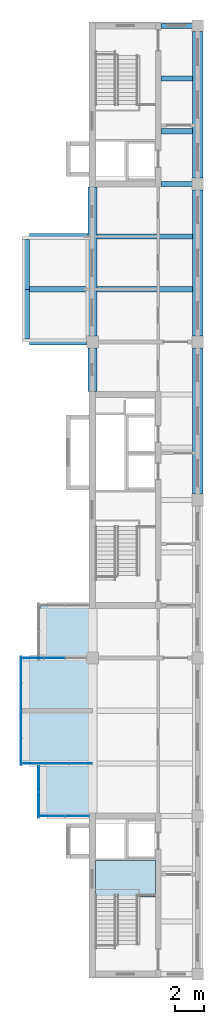
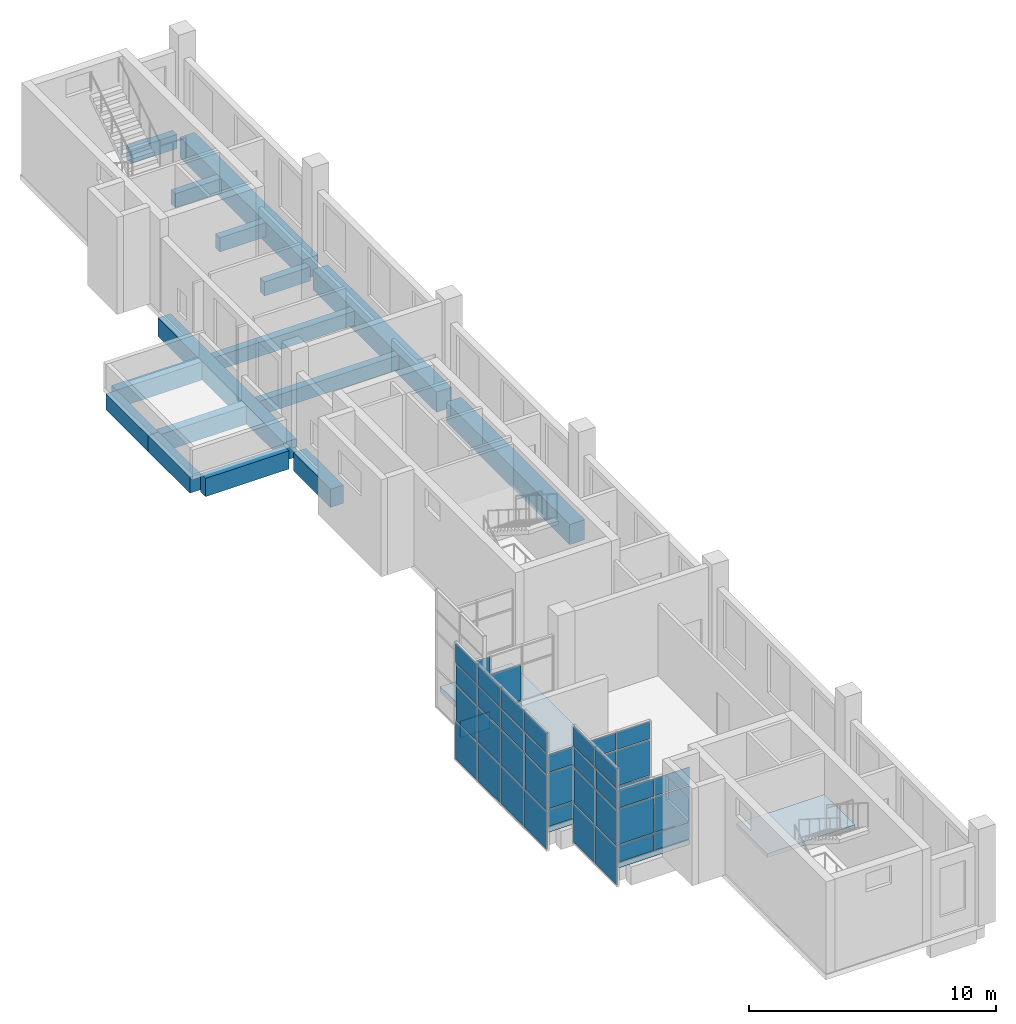
# One storey, part 4 of 9: 44 plates, 16 beams, 2 slabs, 6 elements without a shape of their own.
"""IFC4 building model written with IfcOpenShell, lengths in metres."""

import ifcopenshell
import ifcopenshell.guid

model = None  # the IFC model being written
_history = None  # IfcOwnerHistory: only IFC2X3 demands one
_inside = {}  # id of a spatial element -> (the spatial element, [elements in it])
_under = {}  # id of a project, library or spatial element -> (it, [spatial elements below it])
_declared = {}  # id of a project -> (the project, [libraries it declares])
_typed = {}  # id of a type object -> (the type object, [elements of that type])
_made_of = {}  # id of a material, layer set ... -> (it, [elements and type objects made of it])


def new_model(schema):
    """Start an empty IFC model of exactly this schema.

    Asked for "IFC4X3", IfcOpenShell would pick the latest addendum, in which some entities
    have other attributes; the version numbers below select the first issue.
    IFC2X3 requires an IfcOwnerHistory on every rooted entity: one is made here for all.
    """
    global model, _history
    if schema == "IFC4X3":
        model = ifcopenshell.file(schema_version=(4, 3, 0, 0))
    else:
        model = ifcopenshell.file(schema=schema)
    _inside.clear()
    _under.clear()
    _declared.clear()
    _typed.clear()
    _made_of.clear()
    _history = None
    if model.schema == "IFC2X3":
        org = make("IfcOrganization", Name="unknown")
        user = make(
            "IfcPersonAndOrganization",
            ThePerson=make("IfcPerson", FamilyName="unknown"),
            TheOrganization=org,
        )
        app = make(
            "IfcApplication",
            ApplicationDeveloper=org,
            Version="unknown",
            ApplicationFullName="unknown",
            ApplicationIdentifier="unknown",
        )
        _history = make(
            "IfcOwnerHistory",
            OwningUser=user,
            OwningApplication=app,
            ChangeAction="ADDED",
            CreationDate=0,
        )
    return model


def make(cls, **values):
    """One entity of the class cls with the attributes given. An attribute that is None is left unset."""
    return model.create_entity(
        cls, **{name: value for name, value in values.items() if value is not None}
    )


def rooted(cls, **values):
    """An entity with a GlobalId (a new one), such as an element, a storey or a relation."""
    return make(cls, GlobalId=ifcopenshell.guid.new(), OwnerHistory=_history, **values)


def si_unit(unit_type, name, prefix=None):
    """IfcSIUnit, for example si_unit("LENGTHUNIT", "METRE", prefix="MILLI")."""
    return make("IfcSIUnit", UnitType=unit_type, Prefix=prefix, Name=name)


def assignment(units):
    """IfcUnitAssignment: the units of a project."""
    return None if units is None else make("IfcUnitAssignment", Units=units)


def point(xyz):
    """IfcCartesianPoint."""
    return None if xyz is None else make("IfcCartesianPoint", Coordinates=xyz)


def direction(xyz):
    """IfcDirection."""
    return None if xyz is None else make("IfcDirection", DirectionRatios=xyz)


def frame(location, z_axis=None, x_axis=None):
    """IfcAxis2Placement3D, a coordinate frame: its origin and axes. An axis left out is left unset."""
    return make(
        "IfcAxis2Placement3D",
        Location=point(location),
        Axis=direction(z_axis),
        RefDirection=direction(x_axis),
    )


def frame_2d(location, x_axis=None):
    """IfcAxis2Placement2D, a coordinate frame in the plane: its origin and x axis."""
    return make(
        "IfcAxis2Placement2D", Location=point(location), RefDirection=direction(x_axis)
    )


def origin():
    """The frame at (0, 0, 0) with its axes left unset."""
    return frame((0.0, 0.0, 0.0))


def origin_2d():
    """The frame at (0, 0) in the plane with its x axis left unset."""
    return frame_2d((0.0, 0.0))


def place(relative_to, where):
    """IfcLocalPlacement: puts the frame where relative to a parent placement (None: the world)."""
    return make(
        "IfcLocalPlacement", PlacementRelTo=relative_to, RelativePlacement=where
    )


def context(
    kind, dimensions, precision=None, world=None, true_north=None, identifier=None
):
    """IfcGeometricRepresentationContext, for example the 3D "Model" context."""
    return make(
        "IfcGeometricRepresentationContext",
        ContextIdentifier=identifier,
        ContextType=kind,
        CoordinateSpaceDimension=dimensions,
        Precision=precision,
        WorldCoordinateSystem=world,
        TrueNorth=true_north,
    )


def subcontext(parent, identifier, kind, view, scale=None):
    """IfcGeometricRepresentationSubContext, for example "Body" below "Model"."""
    return make(
        "IfcGeometricRepresentationSubContext",
        ContextIdentifier=identifier,
        ContextType=kind,
        ParentContext=parent,
        TargetScale=scale,
        TargetView=view,
    )


def project(units=None, contexts=None):
    """IfcProject with its units and contexts."""
    return rooted(
        "IfcProject",
        Name="project",
        RepresentationContexts=contexts,
        UnitsInContext=assignment(units),
    )


def spatial(cls, under=None, at=None, **own):
    """A site, building, storey or space (cls), placed at a placement, below another one or the project."""
    s = rooted(cls, ObjectPlacement=at, **own)
    if under is not None:
        _under.setdefault(under.id(), (under, []))[1].append(s)
    return s


def polyline(points):
    """IfcPolyline through the points."""
    return make("IfcPolyline", Points=[point(p) for p in points])


def profile(cls, at=None, kind="AREA", **sizes):
    """A parametric profile (cls). Its sizes go by their IFC names, for example OverallWidth=200.0."""
    return make(cls, ProfileType=kind, Position=at, **sizes)


def rectangle(**sizes):
    """IfcRectangleProfileDef."""
    return profile("IfcRectangleProfileDef", **sizes)


def outline(outer, holes=None, kind="AREA"):
    """IfcArbitraryClosedProfileDef: a profile drawn as a closed curve; with holes, ...WithVoids."""
    if holes is None:
        return make("IfcArbitraryClosedProfileDef", ProfileType=kind, OuterCurve=outer)
    return make(
        "IfcArbitraryProfileDefWithVoids",
        ProfileType=kind,
        OuterCurve=outer,
        InnerCurves=holes,
    )


def extrude(swept, where, along, depth):
    """IfcExtrudedAreaSolid: the profile swept, set in the frame where, extruded along a direction by depth."""
    return make(
        "IfcExtrudedAreaSolid",
        SweptArea=swept,
        Position=where,
        ExtrudedDirection=direction(along),
        Depth=depth,
    )


def shape(context_of_items, identifier, shape_type, items):
    """IfcShapeRepresentation: the items that make up one representation, for example the "Body"."""
    return make(
        "IfcShapeRepresentation",
        ContextOfItems=context_of_items,
        RepresentationIdentifier=identifier,
        RepresentationType=shape_type,
        Items=items,
    )


def material(Name=None, Category=None):
    """IfcMaterial."""
    return make("IfcMaterial", Name=Name, Category=Category)


def layer(
    of_material, thickness, ventilated=None, Name=None, Category=None, Priority=None
):
    """IfcMaterialLayer: one layer of a wall or slab, of a material (None: an air gap)."""
    return make(
        "IfcMaterialLayer",
        Material=of_material,
        LayerThickness=thickness,
        IsVentilated=ventilated,
        Name=Name,
        Category=Category,
        Priority=Priority,
    )


def layer_set(layers, Name=None):
    """IfcMaterialLayerSet."""
    return make("IfcMaterialLayerSet", MaterialLayers=layers, LayerSetName=Name)


def material_profile(
    of_material, cross_section, Name=None, Category=None, Priority=None
):
    """IfcMaterialProfile: a cross section and its material."""
    return make(
        "IfcMaterialProfile",
        Name=Name,
        Material=of_material,
        Profile=cross_section,
        Priority=Priority,
        Category=Category,
    )


def profile_set(profiles, Name=None, composite=None):
    """IfcMaterialProfileSet."""
    return make(
        "IfcMaterialProfileSet",
        Name=Name,
        MaterialProfiles=profiles,
        CompositeProfile=composite,
    )


def made_of(thing, what):
    """Note that an element or type object is made of a material, layer set ...; save() writes the relation."""
    if what is not None:
        _made_of.setdefault(what.id(), (what, []))[1].append(thing)
    return thing


def type_object(cls, material=None, **own):
    """A type object (cls), such as IfcWallType, which elements share."""
    return made_of(rooted(cls, **own), material)


def element(
    cls,
    number,
    at=None,
    inside=None,
    cuts=None,
    type_object=None,
    material=None,
    context=None,
    identifier="Body",
    shape_type=None,
    held_by="IfcProductDefinitionShape",
    body=None,
    shapes=None,
    **own,
):
    """One element of the class cls, such as IfcWall. Its Tag is "e" and its number.

    at: its placement. inside: the storey or other place that contains it. cuts: it is an
    opening in that element (IfcRelVoidsElement). A single representation is given by context,
    identifier, shape_type and body (its items); several are given by shapes. held_by: the class
    of the entity that holds the representations. save() writes the other relations.
    """
    e = rooted(cls, Tag="e%d" % number, ObjectPlacement=at, **own)
    if body is not None:
        shapes = [shape(context, identifier, shape_type, body)]
    if shapes is not None:
        e.Representation = make(held_by, Representations=shapes)
    if inside is not None:
        _inside.setdefault(inside.id(), (inside, []))[1].append(e)
    if cuts is not None:
        rooted(
            "IfcRelVoidsElement", RelatingBuildingElement=cuts, RelatedOpeningElement=e
        )
    if type_object is not None:
        _typed.setdefault(type_object.id(), (type_object, []))[1].append(e)
    return made_of(e, material)


def aggregate(whole, parts):
    """IfcRelAggregates: a whole, such as a stair, and the parts it consists of."""
    return rooted("IfcRelAggregates", RelatingObject=whole, RelatedObjects=parts)


def save(model, path):
    """Write the relations noted so far, then the file.

    IfcRelAggregates (storeys below a building ...), IfcRelContainedInSpatialStructure (elements
    in a storey), IfcRelDefinesByType, IfcRelAssociatesMaterial and IfcRelDeclares: one each for
    every whole, place, type object, material and project.
    """
    for whole, parts in _under.values():
        aggregate(whole, parts)
    for where, things in _inside.values():
        rooted(
            "IfcRelContainedInSpatialStructure",
            RelatedElements=things,
            RelatingStructure=where,
        )
    for kind, things in _typed.values():
        rooted("IfcRelDefinesByType", RelatedObjects=things, RelatingType=kind)
    for what, things in _made_of.values():
        rooted("IfcRelAssociatesMaterial", RelatedObjects=things, RelatingMaterial=what)
    for by, libraries in _declared.values():
        rooted("IfcRelDeclares", RelatingContext=by, RelatedDefinitions=libraries)
    model.write(path)


model = new_model("IFC4")

# Units and contexts
model_context = context("Model", 3, precision=1e-05, world=origin(), true_north=direction((0.0, 1.0)))
body_context = subcontext(model_context, "Body", "Model", "MODEL_VIEW")
ifc_project = project(units=[si_unit("LENGTHUNIT", "METRE"), si_unit("AREAUNIT", "SQUARE_METRE"), si_unit("VOLUMEUNIT", "CUBIC_METRE"), si_unit("PLANEANGLEUNIT", "RADIAN"), si_unit("MASSUNIT", "GRAM", prefix="KILO")], contexts=[model_context])

# Site, building, storey
site_placement = place(None, origin())
site = spatial("IfcSite", under=ifc_project, at=site_placement, CompositionType="ELEMENT")
building_placement = place(site_placement, origin())
building = spatial("IfcBuilding", under=site, at=building_placement, Name="Basin Gate Institute", CompositionType="ELEMENT")
storey_placement = place(building_placement, frame((0.0, 0.0, 70.199951171875)))
storey = spatial("IfcBuildingStorey", under=building, at=storey_placement, Name="L14", CompositionType="ELEMENT", Elevation=70.199951171875)

# Beams
ifc_material_1 = material(Name="Concrete 40 MPa", Category="concrete")
ifc_material_profile_1 = material_profile(ifc_material_1, rectangle(XDim=0.35009765625, YDim=0.699951171875, at=origin_2d()), Name="Beam B1 350 x 700")
ifc_profile_set_1 = profile_set([ifc_material_profile_1], Name="Concrete 40 MPa")
beam_type_1 = type_object("IfcBeamType", Name="Beam B1 R60", PredefinedType="BEAM", material=ifc_profile_set_1)
for number, where, z_axis, x_axis, name in (
    (1, (61.5, 81.89990234375, -0.599853515625), (1.0, 0.0, 0.0), (0.0, 1.0, 0.0), "BEAM/L14/W/OUT/14"),
    (2, (61.5, 85.5, -0.599853515625), (1.0, 0.0, 0.0), (0.0, 1.0, 0.0), "BEAM/L14/W/OUT/15"),
):
    element("IfcBeam", number, at=place(storey_placement, frame(where, z_axis=z_axis, x_axis=x_axis)), inside=storey, type_object=beam_type_1, material=ifc_profile_set_1, Name=name, PredefinedType="BEAM", context=body_context, shape_type="SweptSolid", body=[
        extrude(rectangle(XDim=0.35009765625, YDim=0.699951171875, at=origin_2d()), origin(), (0.0, 0.0, 1.0), 6.550048828125),
    ])
for number, where, z_axis, x_axis, name in (
    (3, (65.89990234375, 89.10009765625, -0.599853515625), (1.0, 0.0, 0.0), (0.0, 1.0, 0.0), "BEAM/L14/W/CORR/16"),
    (4, (65.89990234375, 92.699951171875, -0.599853515625), (1.0, 0.0, 0.0), (0.0, 1.0, 0.0), "BEAM/L14/W/CORR/17"),
    (5, (65.89990234375, 96.300048828125, -0.599853515625), (1.0, 0.0, 0.0), (0.0, 1.0, 0.0), "BEAM/L14/W/CORR/18"),
    (6, (65.89990234375, 99.89990234375, -0.599853515625), (1.0, 0.0, 0.0), (0.0, 1.0, 0.0), "BEAM/L14/W/CORR/19"),
):
    element("IfcBeam", number, at=place(storey_placement, frame(where, z_axis=z_axis, x_axis=x_axis)), inside=storey, type_object=beam_type_1, material=ifc_profile_set_1, Name=name, PredefinedType="BEAM", context=body_context, shape_type="SweptSolid", body=[
        extrude(rectangle(XDim=0.35009765625, YDim=0.699951171875, at=origin_2d()), origin(), (0.0, 0.0, 1.0), 2.150146484375),
    ])
ifc_material_2 = material(Name="Concrete 50 MPa", Category="concrete")
ifc_material_profile_2 = material_profile(ifc_material_2, rectangle(XDim=0.39990234375, YDim=0.89990234375, at=origin_2d()), Name="Cantilever beam B3 400 x 900")
ifc_profile_set_2 = profile_set([ifc_material_profile_2], Name="Concrete 50 MPa")
beam_type_2 = type_object("IfcBeamType", Name="Cantilever beam B3 R60", PredefinedType="BEAM", material=ifc_profile_set_2)
beam_1_placement = place(storey_placement, frame((56.89990234375, 78.300048828125, -0.699951171875), z_axis=(1.0, 0.0, 0.0), x_axis=(0.0, 1.0, 0.0)))
element("IfcBeam", 7, at=beam_1_placement, inside=storey, type_object=beam_type_2, material=ifc_profile_set_2, Name="BEAM/L14/W/CANT/13", PredefinedType="BEAM", context=body_context, shape_type="SweptSolid", body=[
    extrude(rectangle(XDim=0.39990234375, YDim=0.89990234375, at=origin_2d()), origin(), (0.0, 0.0, 1.0), 3.900146484375),
])
for number, where, z_axis, x_axis, name in (
    (8, (56.89990234375, 81.89990234375, -0.699951171875), (1.0, 0.0, 0.0), (0.0, 1.0, 0.0), "BEAM/L14/W/CANT/14"),
    (9, (56.89990234375, 85.5, -0.699951171875), (1.0, 0.0, 0.0), (0.0, 1.0, 0.0), "BEAM/L14/W/CANT/15"),
):
    element("IfcBeam", number, at=place(storey_placement, frame(where, z_axis=z_axis, x_axis=x_axis)), inside=storey, type_object=beam_type_2, material=ifc_profile_set_2, Name=name, PredefinedType="BEAM", context=body_context, shape_type="SweptSolid", body=[
        extrude(rectangle(XDim=0.39990234375, YDim=0.89990234375, at=origin_2d()), origin(), (0.0, 0.0, 1.0), 4.0),
    ])
ifc_material_3 = material(Name="Concrete 50 MPa", Category="concrete")
ifc_material_profile_3 = material_profile(ifc_material_3, rectangle(XDim=0.60009765625, YDim=0.89990234375, at=origin_2d()), Name="Edge beam EB1 600 x 900")
ifc_profile_set_3 = profile_set([ifc_material_profile_3], Name="Concrete 50 MPa")
beam_type_3 = type_object("IfcBeamType", Name="Edge beam EB1 R60", PredefinedType="SPANDREL", material=ifc_profile_set_3)
beam_2_placement = place(storey_placement, frame((61.199951171875, 78.699951171875, -0.699951171875), z_axis=(0.0, 1.0, 0.0), x_axis=(-1.0, 0.0, 0.0)))
element("IfcBeam", 10, at=beam_2_placement, inside=storey, type_object=beam_type_3, material=ifc_profile_set_3, Name="BEAM/L14/W/EDGE/4", PredefinedType="SPANDREL", context=body_context, shape_type="SweptSolid", body=[
    extrude(rectangle(XDim=0.60009765625, YDim=0.89990234375, at=origin_2d()), origin(), (0.0, 0.0, 1.0), 10.199951171875),
])
ifc_material_4 = material(Name="Concrete 50 MPa", Category="concrete")
ifc_material_profile_4 = material_profile(ifc_material_4, rectangle(XDim=0.60009765625, YDim=0.89990234375, at=origin_2d()), Name="Edge return beam EB3 600 x 900")
ifc_profile_set_4 = profile_set([ifc_material_profile_4], Name="Concrete 50 MPa")
beam_type_4 = type_object("IfcBeamType", Name="Edge return beam EB3 R60", PredefinedType="SPANDREL", material=ifc_profile_set_4)
beam_3_placement = place(storey_placement, frame((61.199951171875, 74.89990234375, -0.699951171875), z_axis=(0.0, 1.0, 0.0), x_axis=(-1.0, 0.0, 0.0)))
element("IfcBeam", 11, at=beam_3_placement, inside=storey, type_object=beam_type_4, material=ifc_profile_set_4, Name="BEAM/L14/W/EDGE/3", PredefinedType="SPANDREL", context=body_context, shape_type="SweptSolid", body=[
    extrude(rectangle(XDim=0.60009765625, YDim=0.89990234375, at=origin_2d()), origin(), (0.0, 0.0, 1.0), 3.0),
])
ifc_material_5 = material(Name="Concrete 50 MPa", Category="concrete")
ifc_material_profile_5 = material_profile(ifc_material_5, rectangle(XDim=0.699951171875, YDim=1.0, at=origin_2d()), Name="Girder G1 700 x 1000")
ifc_profile_set_5 = profile_set([ifc_material_profile_5], Name="Concrete 50 MPa")
beam_type_5 = type_object("IfcBeamType", Name="Girder G1 R60", PredefinedType="BEAM", material=ifc_profile_set_5)
for number, where, z_axis, x_axis, name in (
    (12, (68.39990234375, 67.89990234375, -0.75), (0.0, 1.0, 0.0), (-1.0, 0.0, 0.0), "GIR/L14/W5/4"),
    (13, (68.39990234375, 78.699951171875, -0.75), (0.0, 1.0, 0.0), (-1.0, 0.0, 0.0), "GIR/L14/W5/5"),
    (14, (68.39990234375, 89.5, -0.75), (0.0, 1.0, 0.0), (-1.0, 0.0, 0.0), "GIR/L14/W5/6"),
):
    element("IfcBeam", number, at=place(storey_placement, frame(where, z_axis=z_axis, x_axis=x_axis)), inside=storey, type_object=beam_type_5, material=ifc_profile_set_5, Name=name, PredefinedType="BEAM", context=body_context, shape_type="SweptSolid", body=[
        extrude(rectangle(XDim=0.699951171875, YDim=1.0, at=origin_2d()), origin(), (0.0, 0.0, 1.0), 10.0),
    ])
ifc_material_6 = material(Name="Concrete 50 MPa", Category="concrete")
ifc_material_profile_6 = material_profile(ifc_material_6, rectangle(XDim=0.5, YDim=0.800048828125, at=origin_2d()), Name="Tip beam TB1 500 x 800")
ifc_profile_set_6 = profile_set([ifc_material_profile_6], Name="Concrete 50 MPa")
beam_type_6 = type_object("IfcBeamType", Name="Tip beam TB1 R60", PredefinedType="SPANDREL", material=ifc_profile_set_6)
beam_4_placement = place(storey_placement, frame((56.64990234375, 78.5, -0.64990234375), z_axis=(0.0, 1.0, 0.0), x_axis=(-1.0, 0.0, 0.0)))
element("IfcBeam", 15, at=beam_4_placement, inside=storey, type_object=beam_type_6, material=ifc_profile_set_6, Name="BEAM/L14/W/TIP/6", PredefinedType="SPANDREL", context=body_context, shape_type="SweptSolid", body=[
    extrude(rectangle(XDim=0.5, YDim=0.800048828125, at=origin_2d()), origin(), (0.0, 0.0, 1.0), 3.39990234375),
])
beam_5_placement = place(storey_placement, frame((56.64990234375, 81.89990234375, -0.64990234375), z_axis=(0.0, 1.0, 0.0), x_axis=(-1.0, 0.0, 0.0)))
element("IfcBeam", 16, at=beam_5_placement, inside=storey, type_object=beam_type_6, material=ifc_profile_set_6, Name="BEAM/L14/W/TIP/7", PredefinedType="SPANDREL", context=body_context, shape_type="SweptSolid", body=[
    extrude(rectangle(XDim=0.5, YDim=0.800048828125, at=origin_2d()), origin(), (0.0, 0.0, 1.0), 3.400146484375),
])

# Slab
ifc_material_7 = material(Name="Concrete 40 MPa", Category="concrete")
ifc_layer_1 = layer(ifc_material_7, 0.25)
ifc_layer_set_1 = layer_set([ifc_layer_1], Name="Concrete 40 MPa")
slab_type_1 = type_object("IfcSlabType", Name="Slab SL4 R60", PredefinedType="FLOOR", material=ifc_layer_set_1)
slab_1_placement = place(storey_placement, frame((0.0, 0.0, -0.25)))
element("IfcSlab", 17, at=slab_1_placement, inside=storey, type_object=slab_type_1, material=ifc_layer_set_1, Name="SLAB/L14/WK11", PredefinedType="FLOOR", context=body_context, shape_type="SweptSolid", body=[
    extrude(outline(polyline([(57.60009765625, 45.89990234375), (57.60009765625, 49.5), (56.39990234375, 49.5), (56.39990234375, 56.699951171875), (57.60009765625, 56.699951171875), (57.60009765625, 60.300048828125), (60.949951171875, 60.300048828125), (60.949951171875, 45.89990234375), (57.60009765625, 45.89990234375)])), origin(), (0.0, 0.0, 1.0), 0.25),
])

# Curtain wall, plates
ifc_material_8 = material(Name="Aluminium-framed glazing", Category="aluminium")
ifc_layer_2 = layer(ifc_material_8, 0.14990234375)
ifc_layer_set_2 = layer_set([ifc_layer_2], Name="Capsule front curtain wall CW1")
curtain_wall_type = type_object("IfcCurtainWallType", Name="Capsule front curtain wall CW1", PredefinedType="NOTDEFINED", material=ifc_layer_set_2)
curtain_wall_1_placement = place(storey_placement, origin())
curtain_wall_1 = element("IfcCurtainWall", 18, at=curtain_wall_1_placement, inside=storey, type_object=curtain_wall_type, material=ifc_layer_set_2, Name="Capsule front curtain wall W wing capsule end L14 line 4", PredefinedType="NOTDEFINED")
ifc_material_9 = material(Name="Aluminium insulated spandrel panel", Category="aluminium")
ifc_layer_3 = layer(ifc_material_9, 0.050048828125)
ifc_layer_set_3 = layer_set([ifc_layer_3], Name="Spandrel panel PN2")
plate_type_1 = type_object("IfcPlateType", Name="Spandrel panel PN2", PredefinedType="CURTAIN_PANEL", material=ifc_layer_set_3)
plate_1_placement = place(storey_placement, frame((58.46240234375, 45.89990234375, 0.06005859375), z_axis=(0.0, 0.0, 1.0), x_axis=(1.0, 0.0, 0.0)))
plate_1 = element("IfcPlate", 19, at=plate_1_placement, type_object=plate_type_1, material=ifc_layer_set_3, Name="CW1 spandrel panel 1.1", PredefinedType="CURTAIN_PANEL", context=body_context, shape_type="SweptSolid", body=[
    extrude(rectangle(XDim=1.625, YDim=0.050048828125, at=origin_2d()), origin(), (0.0, 0.0, 1.0), 0.81005859375),
])
plate_2_placement = place(storey_placement, frame((60.137451171875, 45.89990234375, 0.06005859375), z_axis=(0.0, 0.0, 1.0), x_axis=(1.0, 0.0, 0.0)))
plate_2 = element("IfcPlate", 20, at=plate_2_placement, type_object=plate_type_1, material=ifc_layer_set_3, Name="CW1 spandrel panel 2.1", PredefinedType="CURTAIN_PANEL", context=body_context, shape_type="SweptSolid", body=[
    extrude(rectangle(XDim=1.625, YDim=0.050048828125, at=origin_2d()), origin(), (0.0, 0.0, 1.0), 0.81005859375),
])

curtain_wall_2_placement = place(storey_placement, origin())
curtain_wall_2 = element("IfcCurtainWall", 21, at=curtain_wall_2_placement, inside=storey, type_object=curtain_wall_type, material=ifc_layer_set_2, Name="Capsule front curtain wall W wing capsule end L14 line 5", PredefinedType="NOTDEFINED")
plate_3_placement = place(storey_placement, frame((57.21240234375, 49.5, 0.06005859375), z_axis=(0.0, 0.0, 1.0), x_axis=(1.0, 0.0, 0.0)))
plate_3 = element("IfcPlate", 22, at=plate_3_placement, type_object=plate_type_1, material=ifc_layer_set_3, Name="CW1 spandrel panel 1.1", PredefinedType="CURTAIN_PANEL", context=body_context, shape_type="SweptSolid", body=[
    extrude(rectangle(XDim=1.52490234375, YDim=0.050048828125, at=origin_2d()), origin(), (0.0, 0.0, 1.0), 0.81005859375),
])
plate_4_placement = place(storey_placement, frame((58.800048828125, 49.5, 0.06005859375), z_axis=(0.0, 0.0, 1.0), x_axis=(1.0, 0.0, 0.0)))
plate_4 = element("IfcPlate", 23, at=plate_4_placement, type_object=plate_type_1, material=ifc_layer_set_3, Name="CW1 spandrel panel 2.1", PredefinedType="CURTAIN_PANEL", context=body_context, shape_type="SweptSolid", body=[
    extrude(rectangle(XDim=1.550048828125, YDim=0.050048828125, at=origin_2d()), origin(), (0.0, 0.0, 1.0), 0.81005859375),
])
plate_5_placement = place(storey_placement, frame((60.387451171875, 49.5, 0.06005859375), z_axis=(0.0, 0.0, 1.0), x_axis=(1.0, 0.0, 0.0)))
plate_5 = element("IfcPlate", 24, at=plate_5_placement, type_object=plate_type_1, material=ifc_layer_set_3, Name="CW1 spandrel panel 3.1", PredefinedType="CURTAIN_PANEL", context=body_context, shape_type="SweptSolid", body=[
    extrude(rectangle(XDim=1.52490234375, YDim=0.050048828125, at=origin_2d()), origin(), (0.0, 0.0, 1.0), 0.81005859375),
])

curtain_wall_3_placement = place(storey_placement, origin())
curtain_wall_3 = element("IfcCurtainWall", 25, at=curtain_wall_3_placement, inside=storey, type_object=curtain_wall_type, material=ifc_layer_set_2, Name="Capsule front curtain wall W wing capsule end L14 line 7", PredefinedType="NOTDEFINED")
plate_6_placement = place(storey_placement, frame((57.145751953125, 56.699951171875, 0.06005859375), z_axis=(0.0, 0.0, 1.0), x_axis=(1.0, 0.0, 0.0)))
plate_6 = element("IfcPlate", 26, at=plate_6_placement, type_object=plate_type_1, material=ifc_layer_set_3, Name="CW1 spandrel panel 1.1", PredefinedType="CURTAIN_PANEL", context=body_context, shape_type="SweptSolid", body=[
    extrude(rectangle(XDim=1.3916015625, YDim=0.050048828125, at=origin_2d()), origin(), (0.0, 0.0, 1.0), 0.81005859375),
])
plate_7_placement = place(storey_placement, frame((58.60009765625, 56.699951171875, 0.06005859375), z_axis=(0.0, 0.0, 1.0), x_axis=(1.0, 0.0, 0.0)))
plate_7 = element("IfcPlate", 27, at=plate_7_placement, type_object=plate_type_1, material=ifc_layer_set_3, Name="CW1 spandrel panel 2.1", PredefinedType="CURTAIN_PANEL", context=body_context, shape_type="SweptSolid", body=[
    extrude(rectangle(XDim=1.416748046875, YDim=0.050048828125, at=origin_2d()), origin(), (0.0, 0.0, 1.0), 0.81005859375),
])

curtain_wall_4_placement = place(storey_placement, origin())
curtain_wall_4 = element("IfcCurtainWall", 28, at=curtain_wall_4_placement, inside=storey, type_object=curtain_wall_type, material=ifc_layer_set_2, Name="Capsule front curtain wall W wing capsule 1 L14 front 1", PredefinedType="NOTDEFINED")
plate_8_placement = place(storey_placement, frame((57.52490234375, 46.66259765625, -0.990234375), z_axis=(0.0, 0.0, 1.0), x_axis=(0.0, 1.0, 0.0)))
plate_8 = element("IfcPlate", 29, at=plate_8_placement, type_object=plate_type_1, material=ifc_layer_set_3, Name="CW1 spandrel panel 1.1", PredefinedType="CURTAIN_PANEL", context=body_context, shape_type="SweptSolid", body=[
    extrude(rectangle(XDim=1.72509765625, YDim=0.050048828125, at=origin_2d()), origin(), (0.0, 0.0, 1.0), 1.860107421875),
])
plate_9_placement = place(storey_placement, frame((57.52490234375, 46.66259765625, 3.780029296875), z_axis=(0.0, 0.0, 1.0), x_axis=(0.0, 1.0, 0.0)))
plate_9 = element("IfcPlate", 30, at=plate_9_placement, type_object=plate_type_1, material=ifc_layer_set_3, Name="CW1 spandrel panel 1.4", PredefinedType="CURTAIN_PANEL", context=body_context, shape_type="SweptSolid", body=[
    extrude(rectangle(XDim=1.72509765625, YDim=0.050048828125, at=origin_2d()), origin(), (0.0, 0.0, 1.0), 0.9599609375),
])
plate_10_placement = place(storey_placement, frame((57.52490234375, 48.4375, -0.990234375), z_axis=(0.0, 0.0, 1.0), x_axis=(0.0, 1.0, 0.0)))
plate_10 = element("IfcPlate", 31, at=plate_10_placement, type_object=plate_type_1, material=ifc_layer_set_3, Name="CW1 spandrel panel 2.1", PredefinedType="CURTAIN_PANEL", context=body_context, shape_type="SweptSolid", body=[
    extrude(rectangle(XDim=1.72509765625, YDim=0.050048828125, at=origin_2d()), origin(), (0.0, 0.0, 1.0), 1.860107421875),
])
plate_11_placement = place(storey_placement, frame((57.52490234375, 48.4375, 3.780029296875), z_axis=(0.0, 0.0, 1.0), x_axis=(0.0, 1.0, 0.0)))
plate_11 = element("IfcPlate", 32, at=plate_11_placement, type_object=plate_type_1, material=ifc_layer_set_3, Name="CW1 spandrel panel 2.4", PredefinedType="CURTAIN_PANEL", context=body_context, shape_type="SweptSolid", body=[
    extrude(rectangle(XDim=1.72509765625, YDim=0.050048828125, at=origin_2d()), origin(), (0.0, 0.0, 1.0), 0.9599609375),
])

curtain_wall_5_placement = place(storey_placement, origin())
curtain_wall_5 = element("IfcCurtainWall", 33, at=curtain_wall_5_placement, inside=storey, type_object=curtain_wall_type, material=ifc_layer_set_2, Name="Capsule front curtain wall W wing capsule 1 L14 front 2", PredefinedType="NOTDEFINED")
plate_12_placement = place(storey_placement, frame((56.324951171875, 50.300048828125, -0.990234375), z_axis=(0.0, 0.0, 1.0), x_axis=(0.0, 1.0, 0.0)))
plate_12 = element("IfcPlate", 34, at=plate_12_placement, type_object=plate_type_1, material=ifc_layer_set_3, Name="CW1 spandrel panel 1.1", PredefinedType="CURTAIN_PANEL", context=body_context, shape_type="SweptSolid", body=[
    extrude(rectangle(XDim=1.800048828125, YDim=0.050048828125, at=origin_2d()), origin(), (0.0, 0.0, 1.0), 1.860107421875),
])
plate_13_placement = place(storey_placement, frame((56.324951171875, 50.300048828125, 3.780029296875), z_axis=(0.0, 0.0, 1.0), x_axis=(0.0, 1.0, 0.0)))
plate_13 = element("IfcPlate", 35, at=plate_13_placement, type_object=plate_type_1, material=ifc_layer_set_3, Name="CW1 spandrel panel 1.4", PredefinedType="CURTAIN_PANEL", context=body_context, shape_type="SweptSolid", body=[
    extrude(rectangle(XDim=1.800048828125, YDim=0.050048828125, at=origin_2d()), origin(), (0.0, 0.0, 1.0), 0.9599609375),
])
plate_14_placement = place(storey_placement, frame((56.324951171875, 52.16259765625, -0.990234375), z_axis=(0.0, 0.0, 1.0), x_axis=(0.0, 1.0, 0.0)))
plate_14 = element("IfcPlate", 36, at=plate_14_placement, type_object=plate_type_1, material=ifc_layer_set_3, Name="CW1 spandrel panel 2.1", PredefinedType="CURTAIN_PANEL", context=body_context, shape_type="SweptSolid", body=[
    extrude(rectangle(XDim=1.824951171875, YDim=0.050048828125, at=origin_2d()), origin(), (0.0, 0.0, 1.0), 1.860107421875),
])
plate_15_placement = place(storey_placement, frame((56.324951171875, 52.16259765625, 3.780029296875), z_axis=(0.0, 0.0, 1.0), x_axis=(0.0, 1.0, 0.0)))
plate_15 = element("IfcPlate", 37, at=plate_15_placement, type_object=plate_type_1, material=ifc_layer_set_3, Name="CW1 spandrel panel 2.4", PredefinedType="CURTAIN_PANEL", context=body_context, shape_type="SweptSolid", body=[
    extrude(rectangle(XDim=1.824951171875, YDim=0.050048828125, at=origin_2d()), origin(), (0.0, 0.0, 1.0), 0.9599609375),
])
plate_16_placement = place(storey_placement, frame((56.324951171875, 54.03759765625, -0.990234375), z_axis=(0.0, 0.0, 1.0), x_axis=(0.0, 1.0, 0.0)))
plate_16 = element("IfcPlate", 38, at=plate_16_placement, type_object=plate_type_1, material=ifc_layer_set_3, Name="CW1 spandrel panel 3.1", PredefinedType="CURTAIN_PANEL", context=body_context, shape_type="SweptSolid", body=[
    extrude(rectangle(XDim=1.824951171875, YDim=0.050048828125, at=origin_2d()), origin(), (0.0, 0.0, 1.0), 1.860107421875),
])
plate_17_placement = place(storey_placement, frame((56.324951171875, 54.03759765625, 3.780029296875), z_axis=(0.0, 0.0, 1.0), x_axis=(0.0, 1.0, 0.0)))
plate_17 = element("IfcPlate", 39, at=plate_17_placement, type_object=plate_type_1, material=ifc_layer_set_3, Name="CW1 spandrel panel 3.4", PredefinedType="CURTAIN_PANEL", context=body_context, shape_type="SweptSolid", body=[
    extrude(rectangle(XDim=1.824951171875, YDim=0.050048828125, at=origin_2d()), origin(), (0.0, 0.0, 1.0), 0.9599609375),
])
plate_18_placement = place(storey_placement, frame((56.324951171875, 55.89990234375, -0.990234375), z_axis=(0.0, 0.0, 1.0), x_axis=(0.0, 1.0, 0.0)))
plate_18 = element("IfcPlate", 40, at=plate_18_placement, type_object=plate_type_1, material=ifc_layer_set_3, Name="CW1 spandrel panel 4.1", PredefinedType="CURTAIN_PANEL", context=body_context, shape_type="SweptSolid", body=[
    extrude(rectangle(XDim=1.800048828125, YDim=0.050048828125, at=origin_2d()), origin(), (0.0, 0.0, 1.0), 1.860107421875),
])
plate_19_placement = place(storey_placement, frame((56.324951171875, 55.89990234375, 3.780029296875), z_axis=(0.0, 0.0, 1.0), x_axis=(0.0, 1.0, 0.0)))
plate_19 = element("IfcPlate", 41, at=plate_19_placement, type_object=plate_type_1, material=ifc_layer_set_3, Name="CW1 spandrel panel 4.4", PredefinedType="CURTAIN_PANEL", context=body_context, shape_type="SweptSolid", body=[
    extrude(rectangle(XDim=1.800048828125, YDim=0.050048828125, at=origin_2d()), origin(), (0.0, 0.0, 1.0), 0.9599609375),
])

# Stair, slab
ifc_material_10 = material(Name="Concrete 40 MPa", Category="concrete")
stair_type = type_object("IfcStairType", Name="Stair ST", PredefinedType="HALF_TURN_STAIR", material=ifc_material_10)
stair_placement = place(storey_placement, origin())
stair = element("IfcStair", 42, at=stair_placement, inside=storey, type_object=stair_type, material=ifc_material_10, Name="Special safe stair ST-WS L14", PredefinedType="HALF_TURN_STAIR")
ifc_material_11 = material(Name="Concrete 40 MPa", Category="concrete")
ifc_layer_4 = layer(ifc_material_11, 0.199951171875)
ifc_layer_set_4 = layer_set([ifc_layer_4], Name="Concrete 40 MPa")
slab_type_2 = type_object("IfcSlabType", Name="Stair landing LN REI 60", PredefinedType="LANDING", material=ifc_layer_set_4)
slab_2_placement = place(storey_placement, frame((0.0, 0.0, 2.288818359375)))
slab_2 = element("IfcSlab", 43, at=slab_2_placement, type_object=slab_type_2, material=ifc_layer_set_4, Name="Stair landing ST-WS-L1 L14", PredefinedType="LANDING", context=body_context, shape_type="SweptSolid", body=[
    extrude(outline(polyline([(61.39990234375, 40.3701171875), (65.5, 40.3701171875), (65.5, 42.85009765625), (61.39990234375, 42.85009765625), (61.39990234375, 40.3701171875)])), origin(), (0.0, 0.0, 1.0), 0.2001953125),
])
aggregate(stair, [slab_2])

# Plate
ifc_material_12 = material(Name="Double glazed unit")
ifc_layer_5 = layer(ifc_material_12, 0.028076171875)
ifc_layer_set_5 = layer_set([ifc_layer_5], Name="Vision panel PN1")
plate_type_2 = type_object("IfcPlateType", Name="Vision panel PN1", PredefinedType="CURTAIN_PANEL", material=ifc_layer_set_5)
plate_20_placement = place(storey_placement, frame((58.46240234375, 45.89990234375, 0.93017578125), z_axis=(0.0, 0.0, 1.0), x_axis=(1.0, 0.0, 0.0)))
plate_20 = element("IfcPlate", 44, at=plate_20_placement, type_object=plate_type_2, material=ifc_layer_set_5, Name="CW1 vision panel 1.2", PredefinedType="CURTAIN_PANEL", context=body_context, shape_type="SweptSolid", body=[
    extrude(rectangle(XDim=1.625, YDim=0.028076171875, at=origin_2d()), origin(), (0.0, 0.0, 1.0), 1.739990234375),
])

plate_21_placement = place(storey_placement, frame((58.46240234375, 45.89990234375, 2.72998046875), z_axis=(0.0, 0.0, 1.0), x_axis=(1.0, 0.0, 0.0)))
plate_21 = element("IfcPlate", 45, at=plate_21_placement, type_object=plate_type_2, material=ifc_layer_set_5, Name="CW1 vision panel 1.3", PredefinedType="CURTAIN_PANEL", context=body_context, shape_type="SweptSolid", body=[
    extrude(rectangle(XDim=1.625, YDim=0.028076171875, at=origin_2d()), origin(), (0.0, 0.0, 1.0), 0.860107421875),
])

plate_22_placement = place(storey_placement, frame((60.137451171875, 45.89990234375, 0.93017578125), z_axis=(0.0, 0.0, 1.0), x_axis=(1.0, 0.0, 0.0)))
plate_22 = element("IfcPlate", 46, at=plate_22_placement, type_object=plate_type_2, material=ifc_layer_set_5, Name="CW1 vision panel 2.2", PredefinedType="CURTAIN_PANEL", context=body_context, shape_type="SweptSolid", body=[
    extrude(rectangle(XDim=1.625, YDim=0.028076171875, at=origin_2d()), origin(), (0.0, 0.0, 1.0), 1.739990234375),
])

plate_23_placement = place(storey_placement, frame((60.137451171875, 45.89990234375, 2.72998046875), z_axis=(0.0, 0.0, 1.0), x_axis=(1.0, 0.0, 0.0)))
plate_23 = element("IfcPlate", 47, at=plate_23_placement, type_object=plate_type_2, material=ifc_layer_set_5, Name="CW1 vision panel 2.3", PredefinedType="CURTAIN_PANEL", context=body_context, shape_type="SweptSolid", body=[
    extrude(rectangle(XDim=1.625, YDim=0.028076171875, at=origin_2d()), origin(), (0.0, 0.0, 1.0), 0.860107421875),
])

aggregate(curtain_wall_1, [plate_1, plate_20, plate_21, plate_2, plate_22, plate_23])

plate_24_placement = place(storey_placement, frame((57.21240234375, 49.5, 0.93017578125), z_axis=(0.0, 0.0, 1.0), x_axis=(1.0, 0.0, 0.0)))
plate_24 = element("IfcPlate", 48, at=plate_24_placement, type_object=plate_type_2, material=ifc_layer_set_5, Name="CW1 vision panel 1.2", PredefinedType="CURTAIN_PANEL", context=body_context, shape_type="SweptSolid", body=[
    extrude(rectangle(XDim=1.52490234375, YDim=0.028076171875, at=origin_2d()), origin(), (0.0, 0.0, 1.0), 1.739990234375),
])

plate_25_placement = place(storey_placement, frame((57.21240234375, 49.5, 2.72998046875), z_axis=(0.0, 0.0, 1.0), x_axis=(1.0, 0.0, 0.0)))
plate_25 = element("IfcPlate", 49, at=plate_25_placement, type_object=plate_type_2, material=ifc_layer_set_5, Name="CW1 vision panel 1.3", PredefinedType="CURTAIN_PANEL", context=body_context, shape_type="SweptSolid", body=[
    extrude(rectangle(XDim=1.52490234375, YDim=0.028076171875, at=origin_2d()), origin(), (0.0, 0.0, 1.0), 0.860107421875),
])

plate_26_placement = place(storey_placement, frame((58.800048828125, 49.5, 0.93017578125), z_axis=(0.0, 0.0, 1.0), x_axis=(1.0, 0.0, 0.0)))
plate_26 = element("IfcPlate", 50, at=plate_26_placement, type_object=plate_type_2, material=ifc_layer_set_5, Name="CW1 vision panel 2.2", PredefinedType="CURTAIN_PANEL", context=body_context, shape_type="SweptSolid", body=[
    extrude(rectangle(XDim=1.550048828125, YDim=0.028076171875, at=origin_2d()), origin(), (0.0, 0.0, 1.0), 1.739990234375),
])

plate_27_placement = place(storey_placement, frame((58.800048828125, 49.5, 2.72998046875), z_axis=(0.0, 0.0, 1.0), x_axis=(1.0, 0.0, 0.0)))
plate_27 = element("IfcPlate", 51, at=plate_27_placement, type_object=plate_type_2, material=ifc_layer_set_5, Name="CW1 vision panel 2.3", PredefinedType="CURTAIN_PANEL", context=body_context, shape_type="SweptSolid", body=[
    extrude(rectangle(XDim=1.550048828125, YDim=0.028076171875, at=origin_2d()), origin(), (0.0, 0.0, 1.0), 0.860107421875),
])

plate_28_placement = place(storey_placement, frame((60.387451171875, 49.5, 0.93017578125), z_axis=(0.0, 0.0, 1.0), x_axis=(1.0, 0.0, 0.0)))
plate_28 = element("IfcPlate", 52, at=plate_28_placement, type_object=plate_type_2, material=ifc_layer_set_5, Name="CW1 vision panel 3.2", PredefinedType="CURTAIN_PANEL", context=body_context, shape_type="SweptSolid", body=[
    extrude(rectangle(XDim=1.52490234375, YDim=0.028076171875, at=origin_2d()), origin(), (0.0, 0.0, 1.0), 1.739990234375),
])

plate_29_placement = place(storey_placement, frame((60.387451171875, 49.5, 2.72998046875), z_axis=(0.0, 0.0, 1.0), x_axis=(1.0, 0.0, 0.0)))
plate_29 = element("IfcPlate", 53, at=plate_29_placement, type_object=plate_type_2, material=ifc_layer_set_5, Name="CW1 vision panel 3.3", PredefinedType="CURTAIN_PANEL", context=body_context, shape_type="SweptSolid", body=[
    extrude(rectangle(XDim=1.52490234375, YDim=0.028076171875, at=origin_2d()), origin(), (0.0, 0.0, 1.0), 0.860107421875),
])

aggregate(curtain_wall_2, [plate_3, plate_24, plate_25, plate_4, plate_26, plate_27, plate_5, plate_28, plate_29])

plate_30_placement = place(storey_placement, frame((57.145751953125, 56.699951171875, 0.93017578125), z_axis=(0.0, 0.0, 1.0), x_axis=(1.0, 0.0, 0.0)))
plate_30 = element("IfcPlate", 54, at=plate_30_placement, type_object=plate_type_2, material=ifc_layer_set_5, Name="CW1 vision panel 1.2", PredefinedType="CURTAIN_PANEL", context=body_context, shape_type="SweptSolid", body=[
    extrude(rectangle(XDim=1.3916015625, YDim=0.028076171875, at=origin_2d()), origin(), (0.0, 0.0, 1.0), 1.739990234375),
])

plate_31_placement = place(storey_placement, frame((57.145751953125, 56.699951171875, 2.72998046875), z_axis=(0.0, 0.0, 1.0), x_axis=(1.0, 0.0, 0.0)))
plate_31 = element("IfcPlate", 55, at=plate_31_placement, type_object=plate_type_2, material=ifc_layer_set_5, Name="CW1 vision panel 1.3", PredefinedType="CURTAIN_PANEL", context=body_context, shape_type="SweptSolid", body=[
    extrude(rectangle(XDim=1.3916015625, YDim=0.028076171875, at=origin_2d()), origin(), (0.0, 0.0, 1.0), 0.860107421875),
])

plate_32_placement = place(storey_placement, frame((58.60009765625, 56.699951171875, 0.93017578125), z_axis=(0.0, 0.0, 1.0), x_axis=(1.0, 0.0, 0.0)))
plate_32 = element("IfcPlate", 56, at=plate_32_placement, type_object=plate_type_2, material=ifc_layer_set_5, Name="CW1 vision panel 2.2", PredefinedType="CURTAIN_PANEL", context=body_context, shape_type="SweptSolid", body=[
    extrude(rectangle(XDim=1.416748046875, YDim=0.028076171875, at=origin_2d()), origin(), (0.0, 0.0, 1.0), 1.739990234375),
])

aggregate(curtain_wall_3, [plate_6, plate_30, plate_31, plate_7, plate_32])

plate_33_placement = place(storey_placement, frame((57.52490234375, 46.66259765625, 0.93017578125), z_axis=(0.0, 0.0, 1.0), x_axis=(0.0, 1.0, 0.0)))
plate_33 = element("IfcPlate", 57, at=plate_33_placement, type_object=plate_type_2, material=ifc_layer_set_5, Name="CW1 vision panel 1.2", PredefinedType="CURTAIN_PANEL", context=body_context, shape_type="SweptSolid", body=[
    extrude(rectangle(XDim=1.72509765625, YDim=0.028076171875, at=origin_2d()), origin(), (0.0, 0.0, 1.0), 1.739990234375),
])

plate_34_placement = place(storey_placement, frame((57.52490234375, 46.66259765625, 2.72998046875), z_axis=(0.0, 0.0, 1.0), x_axis=(0.0, 1.0, 0.0)))
plate_34 = element("IfcPlate", 58, at=plate_34_placement, type_object=plate_type_2, material=ifc_layer_set_5, Name="CW1 vision panel 1.3", PredefinedType="CURTAIN_PANEL", context=body_context, shape_type="SweptSolid", body=[
    extrude(rectangle(XDim=1.72509765625, YDim=0.028076171875, at=origin_2d()), origin(), (0.0, 0.0, 1.0), 0.989990234375),
])

plate_35_placement = place(storey_placement, frame((57.52490234375, 48.4375, 0.93017578125), z_axis=(0.0, 0.0, 1.0), x_axis=(0.0, 1.0, 0.0)))
plate_35 = element("IfcPlate", 59, at=plate_35_placement, type_object=plate_type_2, material=ifc_layer_set_5, Name="CW1 vision panel 2.2", PredefinedType="CURTAIN_PANEL", context=body_context, shape_type="SweptSolid", body=[
    extrude(rectangle(XDim=1.72509765625, YDim=0.028076171875, at=origin_2d()), origin(), (0.0, 0.0, 1.0), 1.739990234375),
])

plate_36_placement = place(storey_placement, frame((57.52490234375, 48.4375, 2.72998046875), z_axis=(0.0, 0.0, 1.0), x_axis=(0.0, 1.0, 0.0)))
plate_36 = element("IfcPlate", 60, at=plate_36_placement, type_object=plate_type_2, material=ifc_layer_set_5, Name="CW1 vision panel 2.3", PredefinedType="CURTAIN_PANEL", context=body_context, shape_type="SweptSolid", body=[
    extrude(rectangle(XDim=1.72509765625, YDim=0.028076171875, at=origin_2d()), origin(), (0.0, 0.0, 1.0), 0.989990234375),
])

aggregate(curtain_wall_4, [plate_8, plate_33, plate_34, plate_9, plate_10, plate_35, plate_36, plate_11])

plate_37_placement = place(storey_placement, frame((56.324951171875, 50.300048828125, 0.93017578125), z_axis=(0.0, 0.0, 1.0), x_axis=(0.0, 1.0, 0.0)))
plate_37 = element("IfcPlate", 61, at=plate_37_placement, type_object=plate_type_2, material=ifc_layer_set_5, Name="CW1 vision panel 1.2", PredefinedType="CURTAIN_PANEL", context=body_context, shape_type="SweptSolid", body=[
    extrude(rectangle(XDim=1.800048828125, YDim=0.028076171875, at=origin_2d()), origin(), (0.0, 0.0, 1.0), 1.739990234375),
])

plate_38_placement = place(storey_placement, frame((56.324951171875, 50.300048828125, 2.72998046875), z_axis=(0.0, 0.0, 1.0), x_axis=(0.0, 1.0, 0.0)))
plate_38 = element("IfcPlate", 62, at=plate_38_placement, type_object=plate_type_2, material=ifc_layer_set_5, Name="CW1 vision panel 1.3", PredefinedType="CURTAIN_PANEL", context=body_context, shape_type="SweptSolid", body=[
    extrude(rectangle(XDim=1.800048828125, YDim=0.028076171875, at=origin_2d()), origin(), (0.0, 0.0, 1.0), 0.989990234375),
])

plate_39_placement = place(storey_placement, frame((56.324951171875, 52.16259765625, 0.93017578125), z_axis=(0.0, 0.0, 1.0), x_axis=(0.0, 1.0, 0.0)))
plate_39 = element("IfcPlate", 63, at=plate_39_placement, type_object=plate_type_2, material=ifc_layer_set_5, Name="CW1 vision panel 2.2", PredefinedType="CURTAIN_PANEL", context=body_context, shape_type="SweptSolid", body=[
    extrude(rectangle(XDim=1.824951171875, YDim=0.028076171875, at=origin_2d()), origin(), (0.0, 0.0, 1.0), 1.739990234375),
])

plate_40_placement = place(storey_placement, frame((56.324951171875, 52.16259765625, 2.72998046875), z_axis=(0.0, 0.0, 1.0), x_axis=(0.0, 1.0, 0.0)))
plate_40 = element("IfcPlate", 64, at=plate_40_placement, type_object=plate_type_2, material=ifc_layer_set_5, Name="CW1 vision panel 2.3", PredefinedType="CURTAIN_PANEL", context=body_context, shape_type="SweptSolid", body=[
    extrude(rectangle(XDim=1.824951171875, YDim=0.028076171875, at=origin_2d()), origin(), (0.0, 0.0, 1.0), 0.989990234375),
])

plate_41_placement = place(storey_placement, frame((56.324951171875, 54.03759765625, 0.93017578125), z_axis=(0.0, 0.0, 1.0), x_axis=(0.0, 1.0, 0.0)))
plate_41 = element("IfcPlate", 65, at=plate_41_placement, type_object=plate_type_2, material=ifc_layer_set_5, Name="CW1 vision panel 3.2", PredefinedType="CURTAIN_PANEL", context=body_context, shape_type="SweptSolid", body=[
    extrude(rectangle(XDim=1.824951171875, YDim=0.028076171875, at=origin_2d()), origin(), (0.0, 0.0, 1.0), 1.739990234375),
])

plate_42_placement = place(storey_placement, frame((56.324951171875, 54.03759765625, 2.72998046875), z_axis=(0.0, 0.0, 1.0), x_axis=(0.0, 1.0, 0.0)))
plate_42 = element("IfcPlate", 66, at=plate_42_placement, type_object=plate_type_2, material=ifc_layer_set_5, Name="CW1 vision panel 3.3", PredefinedType="CURTAIN_PANEL", context=body_context, shape_type="SweptSolid", body=[
    extrude(rectangle(XDim=1.824951171875, YDim=0.028076171875, at=origin_2d()), origin(), (0.0, 0.0, 1.0), 0.989990234375),
])

plate_43_placement = place(storey_placement, frame((56.324951171875, 55.89990234375, 0.93017578125), z_axis=(0.0, 0.0, 1.0), x_axis=(0.0, 1.0, 0.0)))
plate_43 = element("IfcPlate", 67, at=plate_43_placement, type_object=plate_type_2, material=ifc_layer_set_5, Name="CW1 vision panel 4.2", PredefinedType="CURTAIN_PANEL", context=body_context, shape_type="SweptSolid", body=[
    extrude(rectangle(XDim=1.800048828125, YDim=0.028076171875, at=origin_2d()), origin(), (0.0, 0.0, 1.0), 1.739990234375),
])

plate_44_placement = place(storey_placement, frame((56.324951171875, 55.89990234375, 2.72998046875), z_axis=(0.0, 0.0, 1.0), x_axis=(0.0, 1.0, 0.0)))
plate_44 = element("IfcPlate", 68, at=plate_44_placement, type_object=plate_type_2, material=ifc_layer_set_5, Name="CW1 vision panel 4.3", PredefinedType="CURTAIN_PANEL", context=body_context, shape_type="SweptSolid", body=[
    extrude(rectangle(XDim=1.800048828125, YDim=0.028076171875, at=origin_2d()), origin(), (0.0, 0.0, 1.0), 0.989990234375),
])

aggregate(curtain_wall_5, [plate_12, plate_37, plate_38, plate_13, plate_14, plate_39, plate_40, plate_15, plate_16, plate_41, plate_42, plate_17, plate_18, plate_43, plate_44, plate_19])

save(model, "model.ifc")
